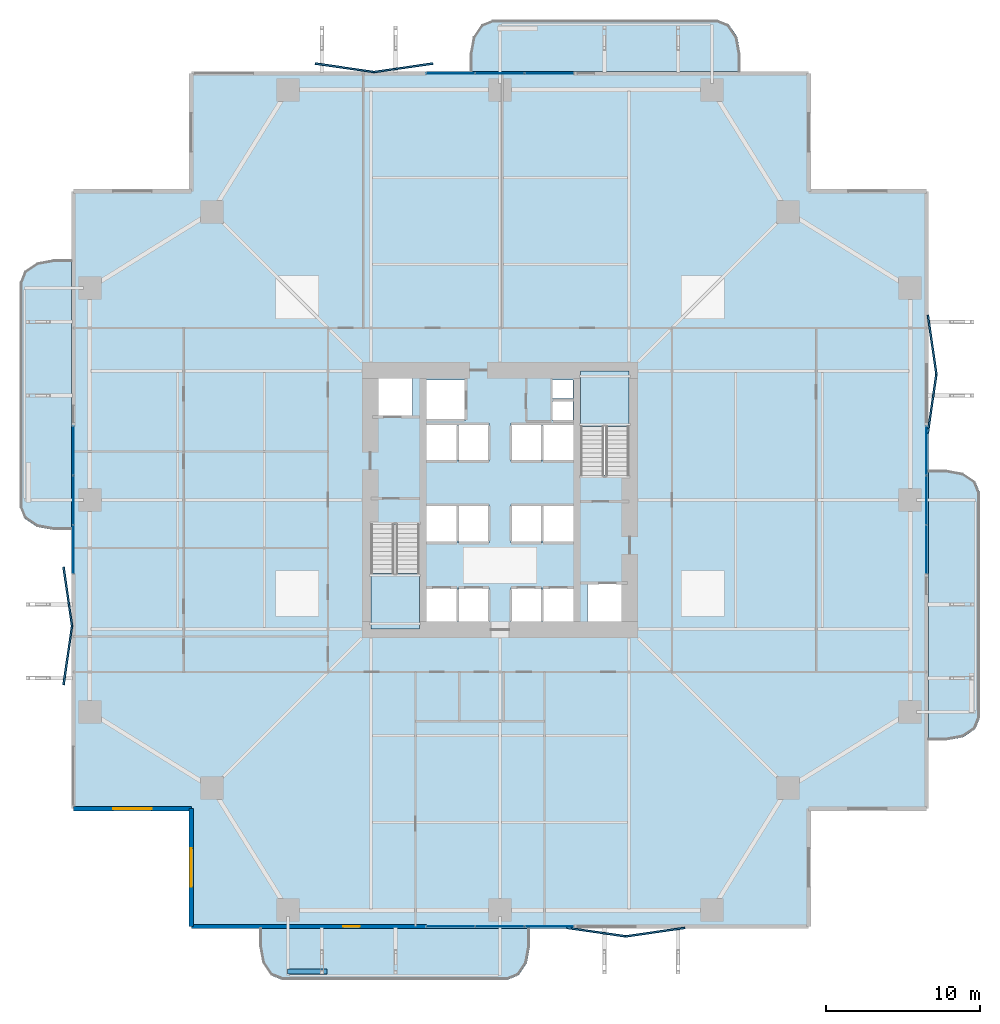
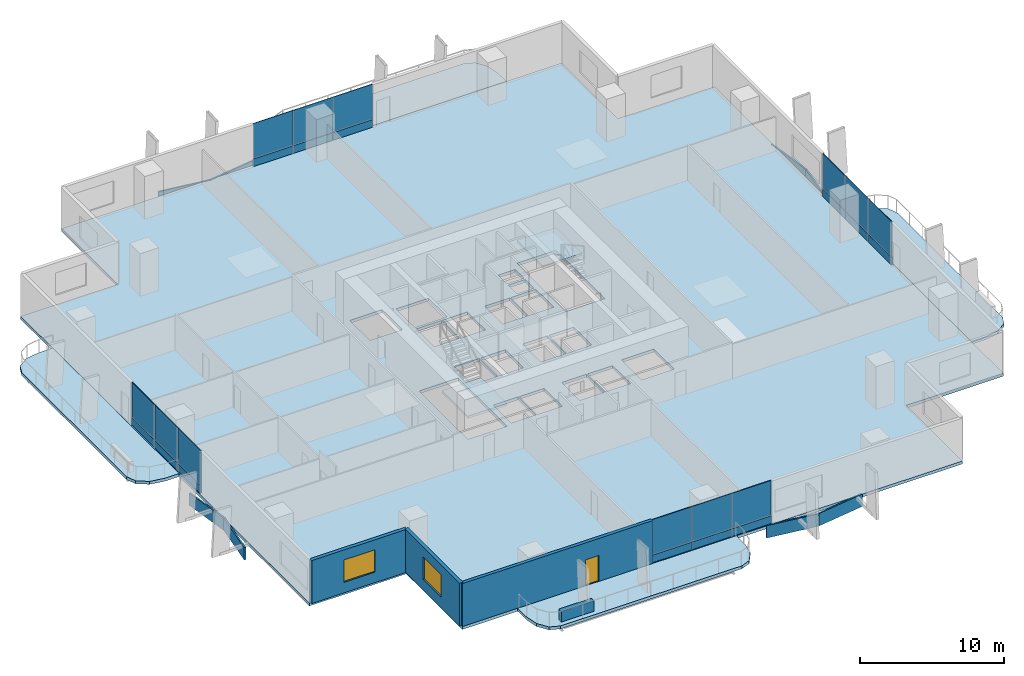
# One storey, part 16 of 23: 32 plates, 7 slabs, 4 walls, 2 windows, 1 door, 3 openings, 6 elements without a shape of their own.
"""IFC4 building model written with IfcOpenShell, lengths in metres."""

from ifc_helpers import new_model, si_unit, direction, frame, frame_2d, origin, origin_2d, place, context, subcontext, project, spatial, polyline, rectangle, outline, extrude, material, layer, layer_set, type_object, element, fill, aggregate, save


model = new_model("IFC4")

# Units and contexts
model_context = context("Model", 3, precision=1e-05, world=origin(), true_north=direction((0.0, 1.0)))
body_context = subcontext(model_context, "Body", "Model", "MODEL_VIEW")
ifc_project = project(units=[si_unit("LENGTHUNIT", "METRE"), si_unit("AREAUNIT", "SQUARE_METRE"), si_unit("VOLUMEUNIT", "CUBIC_METRE"), si_unit("PLANEANGLEUNIT", "RADIAN"), si_unit("MASSUNIT", "GRAM", prefix="KILO")], contexts=[model_context])

# Site, building, storey
site_placement = place(None, origin())
site = spatial("IfcSite", under=ifc_project, at=site_placement, CompositionType="ELEMENT")
building_placement = place(site_placement, origin())
building = spatial("IfcBuilding", under=site, at=building_placement, Name="Belovzor Exchange Tower", CompositionType="ELEMENT")
storey_placement = place(building_placement, frame((0.0, 0.0, 53.39990234375)))
storey = spatial("IfcBuildingStorey", under=building, at=storey_placement, Name="L12", CompositionType="ELEMENT", Elevation=53.39990234375)

# Slab
ifc_material_1 = material(Name="Concrete C40/50", Category="concrete")
ifc_layer_1 = layer(ifc_material_1, 0.25)
ifc_layer_set_1 = layer_set([ifc_layer_1], Name="Concrete C40/50")
slab_type_1 = type_object("IfcSlabType", Name="Composite Concrete Floor Deck Slab 250", PredefinedType="FLOOR", material=ifc_layer_set_1)
slab_1_placement = place(storey_placement, frame((0.0, 0.0, -0.25)))
element("IfcSlab", 1, at=slab_1_placement, inside=storey, type_object=slab_type_1, Name="SL-F250 Structural Slab L12", PredefinedType="FLOOR", context=body_context, shape_type="SweptSolid", body=[
    extrude(outline(polyline([(8.699951171875, 0.89990234375), (48.89990234375, 0.89990234375), (48.89990234375, 8.699951171875), (56.699951171875, 8.699951171875), (56.699951171875, 48.89990234375), (48.89990234375, 48.89990234375), (48.89990234375, 56.699951171875), (8.699951171875, 56.699951171875), (8.699951171875, 48.89990234375), (0.89990234375, 48.89990234375), (0.89990234375, 8.699951171875), (8.699951171875, 8.699951171875), (8.699951171875, 0.89990234375)]), holes=[polyline([(20.39990234375, 27.175048828125), (20.39990234375, 20.39990234375), (23.550048828125, 20.39990234375), (23.550048828125, 27.175048828125), (20.39990234375, 27.175048828125)]), polyline([(37.199951171875, 30.425048828125), (37.199951171875, 37.199951171875), (34.050048828125, 37.199951171875), (34.050048828125, 30.425048828125), (37.199951171875, 30.425048828125)]), polyline([(20.5, 34.199951171875), (23.10009765625, 34.199951171875), (23.10009765625, 37.0), (20.5, 37.0), (20.5, 34.199951171875)]), polyline([(34.5, 20.60009765625), (37.10009765625, 20.60009765625), (37.10009765625, 23.39990234375), (34.5, 23.39990234375), (34.5, 20.60009765625)]), polyline([(24.0, 34.0), (26.60009765625, 34.0), (26.60009765625, 36.60009765625), (24.0, 36.60009765625), (24.0, 34.0)]), polyline([(24.0, 20.60009765625), (26.0, 20.60009765625), (26.0, 23.10009765625), (24.0, 23.10009765625), (24.0, 20.60009765625)]), polyline([(26.10009765625, 20.60009765625), (28.10009765625, 20.60009765625), (28.10009765625, 23.10009765625), (26.10009765625, 23.10009765625), (26.10009765625, 20.60009765625)]), polyline([(29.5, 20.60009765625), (31.5, 20.60009765625), (31.5, 23.10009765625), (29.5, 23.10009765625), (29.5, 20.60009765625)]), polyline([(31.60009765625, 20.60009765625), (33.60009765625, 20.60009765625), (33.60009765625, 23.10009765625), (31.60009765625, 23.10009765625), (31.60009765625, 20.60009765625)]), polyline([(24.0, 26.0), (26.0, 26.0), (26.0, 28.5), (24.0, 28.5), (24.0, 26.0)]), polyline([(26.10009765625, 26.0), (28.10009765625, 26.0), (28.10009765625, 28.5), (26.10009765625, 28.5), (26.10009765625, 26.0)]), polyline([(29.5, 26.0), (31.5, 26.0), (31.5, 28.5), (29.5, 28.5), (29.5, 26.0)]), polyline([(31.60009765625, 26.0), (33.60009765625, 26.0), (33.60009765625, 28.5), (31.60009765625, 28.5), (31.60009765625, 26.0)]), polyline([(24.0, 31.300048828125), (26.0, 31.300048828125), (26.0, 33.800048828125), (24.0, 33.800048828125), (24.0, 31.300048828125)]), polyline([(26.10009765625, 31.300048828125), (28.10009765625, 31.300048828125), (28.10009765625, 33.800048828125), (26.10009765625, 33.800048828125), (26.10009765625, 31.300048828125)]), polyline([(29.5, 31.300048828125), (31.5, 31.300048828125), (31.5, 33.800048828125), (29.5, 33.800048828125), (29.5, 31.300048828125)]), polyline([(31.60009765625, 31.300048828125), (33.60009765625, 31.300048828125), (33.60009765625, 33.800048828125), (31.60009765625, 33.800048828125), (31.60009765625, 31.300048828125)]), polyline([(32.199951171875, 34.0), (33.550048828125, 34.0), (33.550048828125, 35.199951171875), (32.199951171875, 35.199951171875), (32.199951171875, 34.0)]), polyline([(32.199951171875, 35.39990234375), (33.550048828125, 35.39990234375), (33.550048828125, 36.60009765625), (32.199951171875, 36.60009765625), (32.199951171875, 35.39990234375)])]), origin(), (0.0, 0.0, 1.0), 0.25),
])

# Plates
ifc_material_2 = material(Name="Extruded Architectural Terracotta", Category="masonry")
ifc_layer_2 = layer(ifc_material_2, 0.1201171875)
ifc_layer_set_2 = layer_set([ifc_layer_2], Name="Extruded Architectural Terracotta")
plate_type_1 = type_object("IfcPlateType", Name="Folded Zigzag Terracotta Spandrel Louvre 80", PredefinedType="USERDEFINED", material=ifc_layer_set_2)
for number, where, z_axis, x_axis, name in (
    (2, (18.699951171875, 56.93505859375, -1.03515625), (0.0, 0.0, 1.0), (0.989686419138, -0.143250800258, 0.0), "LVR-ZZ1 Zigzag Terracotta Spandrel Louvre L12 N1A"),
    (3, (22.5, 56.93505859375, -1.03515625), (0.0, 0.0, 1.0), (0.989686419138, 0.143250800258, 0.0), "LVR-ZZ1 Zigzag Terracotta Spandrel Louvre L12 N1B"),
    (4, (0.6650390625, 18.699951171875, -1.03515625), (0.0, 0.0, 1.0), (0.143250800258, 0.989686419138, 0.0), "LVR-ZZ1 Zigzag Terracotta Spandrel Louvre L12 W1A"),
    (5, (0.6650390625, 22.5, -1.03515625), (0.0, 0.0, 1.0), (-0.143250800258, 0.989686419138, 0.0), "LVR-ZZ1 Zigzag Terracotta Spandrel Louvre L12 W1B"),
    (6, (35.10009765625, 0.6650390625, -1.03515625), (0.0, 0.0, 1.0), (0.989686419138, -0.143250800258, 0.0), "LVR-ZZ1 Zigzag Terracotta Spandrel Louvre L12 S2A"),
    (7, (38.89990234375, 0.6650390625, -1.03515625), (0.0, 0.0, 1.0), (0.989686419138, 0.143250800258, 0.0), "LVR-ZZ1 Zigzag Terracotta Spandrel Louvre L12 S2B"),
    (8, (56.93505859375, 35.10009765625, -1.03515625), (0.0, 0.0, 1.0), (0.143250800258, 0.989686419138, 0.0), "LVR-ZZ1 Zigzag Terracotta Spandrel Louvre L12 E2A"),
    (9, (56.93505859375, 38.89990234375, -1.03515625), (0.0, 0.0, 1.0), (-0.143250800258, 0.989686419138, 0.0), "LVR-ZZ1 Zigzag Terracotta Spandrel Louvre L12 E2B"),
):
    element("IfcPlate", number, at=place(storey_placement, frame(where, z_axis=z_axis, x_axis=x_axis)), inside=storey, type_object=plate_type_1, Name=name, ObjectType="SPANDREL_LOUVRE", PredefinedType="USERDEFINED", context=body_context, shape_type="SweptSolid", body=[
        extrude(rectangle(XDim=3.919921875, YDim=0.1201171875, at=origin_2d()), origin(), (0.0, 0.0, 1.0), 1.050048828125),
    ])

# Curtain wall, plates
ifc_material_3 = material(Name="Anodised Aluminium Framing", Category="aluminium")
ifc_layer_3 = layer(ifc_material_3, 0.179931640625)
ifc_layer_set_3 = layer_set([ifc_layer_3], Name="Anodised Aluminium Framing")
curtain_wall_type = type_object("IfcCurtainWallType", Name="Recessed Loggia Low-Iron Triple-Glazed Curtain Wall", PredefinedType="NOTDEFINED", material=ifc_layer_set_3)
curtain_wall_1_placement = place(storey_placement, origin())
curtain_wall_1 = element("IfcCurtainWall", 10, at=curtain_wall_1_placement, inside=storey, type_object=curtain_wall_type, Name="CW3 Recessed Loggia Low-Iron Triple-Glazed Curtain Wall L12", PredefinedType="NOTDEFINED")
ifc_material_4 = material(Name="Solar-Control Triple Glazing", Category="glass")
ifc_layer_4 = layer(ifc_material_4, 0.0439453125)
ifc_layer_set_4 = layer_set([ifc_layer_4], Name="Solar-Control Triple Glazing")
plate_type_2 = type_object("IfcPlateType", Name="Insulated Solar Glazing Curtain Panel 44", PredefinedType="CURTAIN_PANEL", material=ifc_layer_set_4)
plate_1_placement = place(storey_placement, frame((32.0, 1.030029296875, 0.652099609375), z_axis=(0.0, 0.0, 1.0), x_axis=(-1.0, 0.0, 0.0)))
plate_1 = element("IfcPlate", 11, at=plate_1_placement, type_object=plate_type_2, Name="GLZ-44 Glazed Curtain Panel 1", PredefinedType="CURTAIN_PANEL", context=body_context, shape_type="SweptSolid", body=[
    extrude(rectangle(XDim=3.18408203125, YDim=0.0439453125, at=origin_2d()), origin(), (0.0, 0.0, 1.0), 2.998046875),
])
plate_2_placement = place(storey_placement, frame((28.800048828125, 1.030029296875, 0.652099609375), z_axis=(0.0, 0.0, 1.0), x_axis=(-1.0, 0.0, 0.0)))
plate_2 = element("IfcPlate", 12, at=plate_2_placement, type_object=plate_type_2, Name="GLZ-44 Glazed Curtain Panel 2", PredefinedType="CURTAIN_PANEL", context=body_context, shape_type="SweptSolid", body=[
    extrude(rectangle(XDim=3.18408203125, YDim=0.0439453125, at=origin_2d()), origin(), (0.0, 0.0, 1.0), 2.998046875),
])
plate_3_placement = place(storey_placement, frame((25.60009765625, 1.030029296875, 0.652099609375), z_axis=(0.0, 0.0, 1.0), x_axis=(-1.0, 0.0, 0.0)))
plate_3 = element("IfcPlate", 13, at=plate_3_placement, type_object=plate_type_2, Name="GLZ-44 Glazed Curtain Panel 3", PredefinedType="CURTAIN_PANEL", context=body_context, shape_type="SweptSolid", body=[
    extrude(rectangle(XDim=3.18408203125, YDim=0.0439453125, at=origin_2d()), origin(), (0.0, 0.0, 1.0), 2.998046875),
])

curtain_wall_2_placement = place(storey_placement, origin())
curtain_wall_2 = element("IfcCurtainWall", 14, at=curtain_wall_2_placement, inside=storey, type_object=curtain_wall_type, Name="CW3 Recessed Loggia Low-Iron Triple-Glazed Curtain Wall L12", PredefinedType="NOTDEFINED")
plate_4_placement = place(storey_placement, frame((25.60009765625, 56.570068359375, 0.652099609375), z_axis=(0.0, 0.0, 1.0), x_axis=(1.0, 0.0, 0.0)))
plate_4 = element("IfcPlate", 15, at=plate_4_placement, type_object=plate_type_2, Name="GLZ-44 Glazed Curtain Panel 1", PredefinedType="CURTAIN_PANEL", context=body_context, shape_type="SweptSolid", body=[
    extrude(rectangle(XDim=3.18408203125, YDim=0.0439453125, at=origin_2d()), origin(), (0.0, 0.0, 1.0), 2.998046875),
])
plate_5_placement = place(storey_placement, frame((28.800048828125, 56.570068359375, 0.652099609375), z_axis=(0.0, 0.0, 1.0), x_axis=(1.0, 0.0, 0.0)))
plate_5 = element("IfcPlate", 16, at=plate_5_placement, type_object=plate_type_2, Name="GLZ-44 Glazed Curtain Panel 2", PredefinedType="CURTAIN_PANEL", context=body_context, shape_type="SweptSolid", body=[
    extrude(rectangle(XDim=3.18408203125, YDim=0.0439453125, at=origin_2d()), origin(), (0.0, 0.0, 1.0), 2.998046875),
])
plate_6_placement = place(storey_placement, frame((32.0, 56.570068359375, 0.652099609375), z_axis=(0.0, 0.0, 1.0), x_axis=(1.0, 0.0, 0.0)))
plate_6 = element("IfcPlate", 17, at=plate_6_placement, type_object=plate_type_2, Name="GLZ-44 Glazed Curtain Panel 3", PredefinedType="CURTAIN_PANEL", context=body_context, shape_type="SweptSolid", body=[
    extrude(rectangle(XDim=3.18408203125, YDim=0.0439453125, at=origin_2d()), origin(), (0.0, 0.0, 1.0), 2.998046875),
])

curtain_wall_3_placement = place(storey_placement, origin())
curtain_wall_3 = element("IfcCurtainWall", 18, at=curtain_wall_3_placement, inside=storey, type_object=curtain_wall_type, Name="CW3 Recessed Loggia Low-Iron Triple-Glazed Curtain Wall L12", PredefinedType="NOTDEFINED")
plate_7_placement = place(storey_placement, frame((1.030029296875, 25.60009765625, 0.652099609375), z_axis=(0.0, 0.0, 1.0), x_axis=(0.0, 1.0, 0.0)))
plate_7 = element("IfcPlate", 19, at=plate_7_placement, type_object=plate_type_2, Name="GLZ-44 Glazed Curtain Panel 1", PredefinedType="CURTAIN_PANEL", context=body_context, shape_type="SweptSolid", body=[
    extrude(rectangle(XDim=3.18408203125, YDim=0.0439453125, at=origin_2d()), origin(), (0.0, 0.0, 1.0), 2.998046875),
])
plate_8_placement = place(storey_placement, frame((1.030029296875, 28.800048828125, 0.652099609375), z_axis=(0.0, 0.0, 1.0), x_axis=(0.0, 1.0, 0.0)))
plate_8 = element("IfcPlate", 20, at=plate_8_placement, type_object=plate_type_2, Name="GLZ-44 Glazed Curtain Panel 2", PredefinedType="CURTAIN_PANEL", context=body_context, shape_type="SweptSolid", body=[
    extrude(rectangle(XDim=3.18408203125, YDim=0.0439453125, at=origin_2d()), origin(), (0.0, 0.0, 1.0), 2.998046875),
])
plate_9_placement = place(storey_placement, frame((1.030029296875, 32.0, 0.652099609375), z_axis=(0.0, 0.0, 1.0), x_axis=(0.0, 1.0, 0.0)))
plate_9 = element("IfcPlate", 21, at=plate_9_placement, type_object=plate_type_2, Name="GLZ-44 Glazed Curtain Panel 3", PredefinedType="CURTAIN_PANEL", context=body_context, shape_type="SweptSolid", body=[
    extrude(rectangle(XDim=3.18408203125, YDim=0.0439453125, at=origin_2d()), origin(), (0.0, 0.0, 1.0), 2.998046875),
])

curtain_wall_4_placement = place(storey_placement, origin())
curtain_wall_4 = element("IfcCurtainWall", 22, at=curtain_wall_4_placement, inside=storey, type_object=curtain_wall_type, Name="CW3 Recessed Loggia Low-Iron Triple-Glazed Curtain Wall L12", PredefinedType="NOTDEFINED")
plate_10_placement = place(storey_placement, frame((56.570068359375, 32.0, 0.652099609375), z_axis=(0.0, 0.0, 1.0), x_axis=(0.0, -1.0, 0.0)))
plate_10 = element("IfcPlate", 23, at=plate_10_placement, type_object=plate_type_2, Name="GLZ-44 Glazed Curtain Panel 1", PredefinedType="CURTAIN_PANEL", context=body_context, shape_type="SweptSolid", body=[
    extrude(rectangle(XDim=3.18408203125, YDim=0.0439453125, at=origin_2d()), origin(), (0.0, 0.0, 1.0), 2.998046875),
])
plate_11_placement = place(storey_placement, frame((56.570068359375, 28.800048828125, 0.652099609375), z_axis=(0.0, 0.0, 1.0), x_axis=(0.0, -1.0, 0.0)))
plate_11 = element("IfcPlate", 24, at=plate_11_placement, type_object=plate_type_2, Name="GLZ-44 Glazed Curtain Panel 2", PredefinedType="CURTAIN_PANEL", context=body_context, shape_type="SweptSolid", body=[
    extrude(rectangle(XDim=3.18408203125, YDim=0.0439453125, at=origin_2d()), origin(), (0.0, 0.0, 1.0), 2.998046875),
])
plate_12_placement = place(storey_placement, frame((56.570068359375, 25.60009765625, 0.652099609375), z_axis=(0.0, 0.0, 1.0), x_axis=(0.0, -1.0, 0.0)))
plate_12 = element("IfcPlate", 25, at=plate_12_placement, type_object=plate_type_2, Name="GLZ-44 Glazed Curtain Panel 3", PredefinedType="CURTAIN_PANEL", context=body_context, shape_type="SweptSolid", body=[
    extrude(rectangle(XDim=3.18408203125, YDim=0.0439453125, at=origin_2d()), origin(), (0.0, 0.0, 1.0), 2.998046875),
])

# Stair, slab
ifc_material_5 = material(Name="Concrete C40/50", Category="concrete")
stair_type = type_object("IfcStairType", Name="Reinforced Concrete Dogleg Escape Stair 1350", PredefinedType="HALF_TURN_STAIR", material=ifc_material_5)
stair_1_placement = place(storey_placement, origin())
stair_1 = element("IfcStair", 26, at=stair_1_placement, inside=storey, type_object=stair_type, Name="L12 ST-1", PredefinedType="HALF_TURN_STAIR")
ifc_material_6 = material(Name="Concrete C40/50", Category="concrete")
ifc_layer_5 = layer(ifc_material_6, 0.199951171875)
ifc_layer_set_5 = layer_set([ifc_layer_5], Name="Concrete C40/50")
slab_type_2 = type_object("IfcSlabType", Name="Reinforced Concrete Stair Half-Landing Slab 200", PredefinedType="LANDING", material=ifc_layer_set_5)
slab_2_placement = place(storey_placement, frame((0.0, 0.0, 1.75)))
slab_2 = element("IfcSlab", 27, at=slab_2_placement, type_object=slab_type_2, Name="ST-1 landing 1", PredefinedType="LANDING", context=body_context, shape_type="SweptSolid", body=[
    extrude(outline(polyline([(20.39990234375, 24.010009765625), (20.39990234375, 20.39990234375), (23.550048828125, 20.39990234375), (23.550048828125, 24.010009765625), (20.39990234375, 24.010009765625)])), origin(), (0.0, 0.0, 1.0), 0.2001953125),
])
aggregate(stair_1, [slab_2])

stair_2_placement = place(storey_placement, origin())
stair_2 = element("IfcStair", 28, at=stair_2_placement, inside=storey, type_object=stair_type, Name="L12 ST-2", PredefinedType="HALF_TURN_STAIR")
slab_3_placement = place(storey_placement, frame((0.0, 0.0, 1.75)))
slab_3 = element("IfcSlab", 29, at=slab_3_placement, type_object=slab_type_2, Name="ST-2 landing 1", PredefinedType="LANDING", context=body_context, shape_type="SweptSolid", body=[
    extrude(outline(polyline([(37.199951171875, 33.590087890625), (37.199951171875, 37.199951171875), (34.050048828125, 37.199951171875), (34.050048828125, 33.590087890625), (37.199951171875, 33.590087890625)])), origin(), (0.0, 0.0, 1.0), 0.2001953125),
])
aggregate(stair_2, [slab_3])

# Plate
ifc_material_7 = material(Name="Extruded Architectural Terracotta", Category="masonry")
ifc_layer_6 = layer(ifc_material_7, 0.090087890625)
ifc_layer_set_6 = layer_set([ifc_layer_6], Name="Extruded Architectural Terracotta")
plate_type_3 = type_object("IfcPlateType", Name="Terracotta Shadow-Box Spandrel Panel 90", PredefinedType="CURTAIN_PANEL", material=ifc_layer_set_6)
plate_13_placement = place(storey_placement, frame((32.0, 1.030029296875, 0.000244140625), z_axis=(0.0, 0.0, 1.0), x_axis=(-1.0, 0.0, 0.0)))
plate_13 = element("IfcPlate", 30, at=plate_13_placement, type_object=plate_type_3, Name="SPD-90 Spandrel Panel 1", PredefinedType="CURTAIN_PANEL", context=body_context, shape_type="SweptSolid", body=[
    extrude(rectangle(XDim=3.18408203125, YDim=0.090087890625, at=origin_2d()), origin(), (0.0, 0.0, 1.0), 0.64794921875),
])

plate_14_placement = place(storey_placement, frame((28.800048828125, 1.030029296875, 0.000244140625), z_axis=(0.0, 0.0, 1.0), x_axis=(-1.0, 0.0, 0.0)))
plate_14 = element("IfcPlate", 31, at=plate_14_placement, type_object=plate_type_3, Name="SPD-90 Spandrel Panel 2", PredefinedType="CURTAIN_PANEL", context=body_context, shape_type="SweptSolid", body=[
    extrude(rectangle(XDim=3.18408203125, YDim=0.090087890625, at=origin_2d()), origin(), (0.0, 0.0, 1.0), 0.64794921875),
])

plate_15_placement = place(storey_placement, frame((25.60009765625, 1.030029296875, 0.000244140625), z_axis=(0.0, 0.0, 1.0), x_axis=(-1.0, 0.0, 0.0)))
plate_15 = element("IfcPlate", 32, at=plate_15_placement, type_object=plate_type_3, Name="SPD-90 Spandrel Panel 3", PredefinedType="CURTAIN_PANEL", context=body_context, shape_type="SweptSolid", body=[
    extrude(rectangle(XDim=3.18408203125, YDim=0.090087890625, at=origin_2d()), origin(), (0.0, 0.0, 1.0), 0.64794921875),
])

aggregate(curtain_wall_1, [plate_13, plate_1, plate_14, plate_2, plate_15, plate_3])

plate_16_placement = place(storey_placement, frame((25.60009765625, 56.570068359375, 0.000244140625), z_axis=(0.0, 0.0, 1.0), x_axis=(1.0, 0.0, 0.0)))
plate_16 = element("IfcPlate", 33, at=plate_16_placement, type_object=plate_type_3, Name="SPD-90 Spandrel Panel 1", PredefinedType="CURTAIN_PANEL", context=body_context, shape_type="SweptSolid", body=[
    extrude(rectangle(XDim=3.18408203125, YDim=0.090087890625, at=origin_2d()), origin(), (0.0, 0.0, 1.0), 0.64794921875),
])

plate_17_placement = place(storey_placement, frame((28.800048828125, 56.570068359375, 0.000244140625), z_axis=(0.0, 0.0, 1.0), x_axis=(1.0, 0.0, 0.0)))
plate_17 = element("IfcPlate", 34, at=plate_17_placement, type_object=plate_type_3, Name="SPD-90 Spandrel Panel 2", PredefinedType="CURTAIN_PANEL", context=body_context, shape_type="SweptSolid", body=[
    extrude(rectangle(XDim=3.18408203125, YDim=0.090087890625, at=origin_2d()), origin(), (0.0, 0.0, 1.0), 0.64794921875),
])

plate_18_placement = place(storey_placement, frame((32.0, 56.570068359375, 0.000244140625), z_axis=(0.0, 0.0, 1.0), x_axis=(1.0, 0.0, 0.0)))
plate_18 = element("IfcPlate", 35, at=plate_18_placement, type_object=plate_type_3, Name="SPD-90 Spandrel Panel 3", PredefinedType="CURTAIN_PANEL", context=body_context, shape_type="SweptSolid", body=[
    extrude(rectangle(XDim=3.18408203125, YDim=0.090087890625, at=origin_2d()), origin(), (0.0, 0.0, 1.0), 0.64794921875),
])

aggregate(curtain_wall_2, [plate_16, plate_4, plate_17, plate_5, plate_18, plate_6])

plate_19_placement = place(storey_placement, frame((1.030029296875, 25.60009765625, 0.000244140625), z_axis=(0.0, 0.0, 1.0), x_axis=(0.0, 1.0, 0.0)))
plate_19 = element("IfcPlate", 36, at=plate_19_placement, type_object=plate_type_3, Name="SPD-90 Spandrel Panel 1", PredefinedType="CURTAIN_PANEL", context=body_context, shape_type="SweptSolid", body=[
    extrude(rectangle(XDim=3.18408203125, YDim=0.090087890625, at=origin_2d()), origin(), (0.0, 0.0, 1.0), 0.64794921875),
])

plate_20_placement = place(storey_placement, frame((1.030029296875, 28.800048828125, 0.000244140625), z_axis=(0.0, 0.0, 1.0), x_axis=(0.0, 1.0, 0.0)))
plate_20 = element("IfcPlate", 37, at=plate_20_placement, type_object=plate_type_3, Name="SPD-90 Spandrel Panel 2", PredefinedType="CURTAIN_PANEL", context=body_context, shape_type="SweptSolid", body=[
    extrude(rectangle(XDim=3.18408203125, YDim=0.090087890625, at=origin_2d()), origin(), (0.0, 0.0, 1.0), 0.64794921875),
])

plate_21_placement = place(storey_placement, frame((1.030029296875, 32.0, 0.000244140625), z_axis=(0.0, 0.0, 1.0), x_axis=(0.0, 1.0, 0.0)))
plate_21 = element("IfcPlate", 38, at=plate_21_placement, type_object=plate_type_3, Name="SPD-90 Spandrel Panel 3", PredefinedType="CURTAIN_PANEL", context=body_context, shape_type="SweptSolid", body=[
    extrude(rectangle(XDim=3.18408203125, YDim=0.090087890625, at=origin_2d()), origin(), (0.0, 0.0, 1.0), 0.64794921875),
])

aggregate(curtain_wall_3, [plate_19, plate_7, plate_20, plate_8, plate_21, plate_9])

plate_22_placement = place(storey_placement, frame((56.570068359375, 32.0, 0.000244140625), z_axis=(0.0, 0.0, 1.0), x_axis=(0.0, -1.0, 0.0)))
plate_22 = element("IfcPlate", 39, at=plate_22_placement, type_object=plate_type_3, Name="SPD-90 Spandrel Panel 1", PredefinedType="CURTAIN_PANEL", context=body_context, shape_type="SweptSolid", body=[
    extrude(rectangle(XDim=3.18408203125, YDim=0.090087890625, at=origin_2d()), origin(), (0.0, 0.0, 1.0), 0.64794921875),
])

plate_23_placement = place(storey_placement, frame((56.570068359375, 28.800048828125, 0.000244140625), z_axis=(0.0, 0.0, 1.0), x_axis=(0.0, -1.0, 0.0)))
plate_23 = element("IfcPlate", 40, at=plate_23_placement, type_object=plate_type_3, Name="SPD-90 Spandrel Panel 2", PredefinedType="CURTAIN_PANEL", context=body_context, shape_type="SweptSolid", body=[
    extrude(rectangle(XDim=3.18408203125, YDim=0.090087890625, at=origin_2d()), origin(), (0.0, 0.0, 1.0), 0.64794921875),
])

plate_24_placement = place(storey_placement, frame((56.570068359375, 25.60009765625, 0.000244140625), z_axis=(0.0, 0.0, 1.0), x_axis=(0.0, -1.0, 0.0)))
plate_24 = element("IfcPlate", 41, at=plate_24_placement, type_object=plate_type_3, Name="SPD-90 Spandrel Panel 3", PredefinedType="CURTAIN_PANEL", context=body_context, shape_type="SweptSolid", body=[
    extrude(rectangle(XDim=3.18408203125, YDim=0.090087890625, at=origin_2d()), origin(), (0.0, 0.0, 1.0), 0.64794921875),
])

aggregate(curtain_wall_4, [plate_22, plate_10, plate_23, plate_11, plate_24, plate_12])

# Slabs
ifc_material_8 = material(Name="Concrete C40/50", Category="concrete")
ifc_layer_7 = layer(ifc_material_8, 0.25)
ifc_layer_set_7 = layer_set([ifc_layer_7], Name="Concrete C40/50")
slab_type_3 = type_object("IfcSlabType", Name="Thermally Broken Planted Balcony Slab 250", PredefinedType="FLOOR", material=ifc_layer_set_7)
slab_4_placement = place(storey_placement, frame((0.0, 0.0, -0.25)))
element("IfcSlab", 42, at=slab_4_placement, inside=storey, type_object=slab_type_3, Name="SL-BAL220 Planted Balcony Loggia L12 South", PredefinedType="FLOOR", context=body_context, shape_type="SweptSolid", body=[
    extrude(outline(polyline([(13.14990234375, 0.9150390625), (13.14990234375, -0.25), (13.35107421875, -1.35009765625), (13.89990234375, -2.155029296875), (14.64990234375, -2.449951171875), (29.25, -2.449951171875), (30.0, -2.155029296875), (30.549072265625, -1.35009765625), (30.75, -0.25), (30.75, 0.9150390625), (13.14990234375, 0.9150390625)])), origin(), (0.0, 0.0, 1.0), 0.25),
])
slab_5_placement = place(storey_placement, frame((0.0, 0.0, -0.25)))
element("IfcSlab", 43, at=slab_5_placement, inside=storey, type_object=slab_type_3, Name="SL-BAL220 Planted Balcony Loggia L12 North", PredefinedType="FLOOR", context=body_context, shape_type="SweptSolid", body=[
    extrude(outline(polyline([(44.449951171875, 56.68505859375), (44.449951171875, 57.85009765625), (44.2490234375, 58.949951171875), (43.699951171875, 59.7548828125), (42.949951171875, 60.050048828125), (28.35009765625, 60.050048828125), (27.60009765625, 59.7548828125), (27.051025390625, 58.949951171875), (26.85009765625, 57.85009765625), (26.85009765625, 56.68505859375), (44.449951171875, 56.68505859375)])), origin(), (0.0, 0.0, 1.0), 0.25),
])
slab_6_placement = place(storey_placement, frame((0.0, 0.0, -0.25)))
element("IfcSlab", 44, at=slab_6_placement, inside=storey, type_object=slab_type_3, Name="SL-BAL220 Planted Balcony Loggia L12 East", PredefinedType="FLOOR", context=body_context, shape_type="SweptSolid", body=[
    extrude(outline(polyline([(56.68505859375, 13.14990234375), (57.85009765625, 13.14990234375), (58.949951171875, 13.35107421875), (59.7548828125, 13.89990234375), (60.050048828125, 14.64990234375), (60.050048828125, 29.25), (59.7548828125, 30.0), (58.949951171875, 30.549072265625), (57.85009765625, 30.75), (56.68505859375, 30.75), (56.68505859375, 13.14990234375)])), origin(), (0.0, 0.0, 1.0), 0.25),
])
slab_7_placement = place(storey_placement, frame((0.0, 0.0, -0.25)))
element("IfcSlab", 45, at=slab_7_placement, inside=storey, type_object=slab_type_3, Name="SL-BAL220 Planted Balcony Loggia L12 West", PredefinedType="FLOOR", context=body_context, shape_type="SweptSolid", body=[
    extrude(outline(polyline([(0.9150390625, 44.449951171875), (-0.25, 44.449951171875), (-1.35009765625, 44.2490234375), (-2.155029296875, 43.699951171875), (-2.449951171875, 42.949951171875), (-2.449951171875, 28.35009765625), (-2.155029296875, 27.60009765625), (-1.35009765625, 27.051025390625), (-0.25, 26.85009765625), (0.9150390625, 26.85009765625), (0.9150390625, 44.449951171875)])), origin(), (0.0, 0.0, 1.0), 0.25),
])

# Wall, opening, window
ifc_material_9 = material(Name="Precast concrete C40/50", Category="concrete")
ifc_layer_8 = layer(ifc_material_9, 0.280029296875)
ifc_layer_set_8 = layer_set([ifc_layer_8], Name="Precast concrete C40/50")
wall_type_1 = type_object("IfcWallType", Name="Precast Concrete Notched Corner Frame Wall 280", PredefinedType="SOLIDWALL", material=ifc_layer_set_8)
wall_1_placement = place(storey_placement, frame((8.699951171875, 1.030029296875, 0.0), z_axis=(0.0, 0.0, 1.0), x_axis=(0.0, 1.0, 0.0)))
wall_1 = element("IfcWall", 46, at=wall_1_placement, inside=storey, type_object=wall_type_1, Name="W-CRN280 Precast Concrete Notched Corner Frame Wall 280 L12", PredefinedType="SOLIDWALL", context=body_context, shape_type="SweptSolid", body=[
    extrude(rectangle(XDim=7.669921875, YDim=0.280029296875, at=frame_2d((3.8349609375, 0.0))), origin(), (0.0, 0.0, 1.0), 3.650146484375),
])
opening_1_placement = place(wall_1_placement, frame((2.5849609375, 0.0, 0.89990234375)))
opening_1 = element("IfcOpeningElement", 47, at=opening_1_placement, cuts=wall_1, Name="Opening WN-CRN250", PredefinedType="OPENING", context=body_context, shape_type="SweptSolid", body=[
    extrude(rectangle(XDim=2.5, YDim=1.89990234375, at=frame_2d((1.25, 0.949951171875))), frame((0.0, 0.14990234375, 0.0), z_axis=(0.0, -1.0, 0.0), x_axis=(1.0, 0.0, 0.0)), (0.0, 0.0, 1.0), 0.300048828125),
])
ifc_material_10 = material(Name="Thermally Broken Aluminium and Triple Glazing", Category="aluminium")
window_type = type_object("IfcWindowType", Name="Streamline Moderne Corner Wrap Ribbon Window 2500x1900", PartitioningType="SINGLE_PANEL", PredefinedType="WINDOW", material=ifc_material_10)
window_1_placement = place(opening_1_placement, origin())
window_1 = element("IfcWindow", 48, at=window_1_placement, inside=storey, type_object=window_type, Name="WN-CRN250 Streamline Moderne Corner Wrap Ribbon Window 2500x1900", OverallHeight=1.89990234375, OverallWidth=2.5, PartitioningType="SINGLE_PANEL", PredefinedType="WINDOW", context=body_context, shape_type="SweptSolid", body=[
    extrude(rectangle(XDim=2.5, YDim=1.89990234375, at=frame_2d((1.25, 0.949951171875))), frame((0.0, 0.030029296875, 0.0), z_axis=(0.0, -1.0, 0.0), x_axis=(1.0, 0.0, 0.0)), (0.0, 0.0, 1.0), 0.06005859375),
])
fill(opening_1, window_1)

wall_2_placement = place(storey_placement, frame((8.699951171875, 8.699951171875, 0.0), z_axis=(0.0, 0.0, 1.0), x_axis=(-1.0, 0.0, 0.0)))
wall_2 = element("IfcWall", 49, at=wall_2_placement, inside=storey, type_object=wall_type_1, Name="W-CRN280 Precast Concrete Notched Corner Frame Wall 280 L12", PredefinedType="SOLIDWALL", context=body_context, shape_type="SweptSolid", body=[
    extrude(rectangle(XDim=7.669921875, YDim=0.280029296875, at=frame_2d((3.8349609375, 0.0))), origin(), (0.0, 0.0, 1.0), 3.650146484375),
])
opening_2_placement = place(wall_2_placement, frame((2.5849609375, 0.0, 0.89990234375)))
opening_2 = element("IfcOpeningElement", 50, at=opening_2_placement, cuts=wall_2, Name="Opening WN-CRN250", PredefinedType="OPENING", context=body_context, shape_type="SweptSolid", body=[
    extrude(rectangle(XDim=2.5, YDim=1.89990234375, at=frame_2d((1.25, 0.949951171875))), frame((0.0, 0.14990234375, 0.0), z_axis=(0.0, -1.0, 0.0), x_axis=(1.0, 0.0, 0.0)), (0.0, 0.0, 1.0), 0.300048828125),
])
window_2_placement = place(opening_2_placement, origin())
window_2 = element("IfcWindow", 51, at=window_2_placement, inside=storey, type_object=window_type, Name="WN-CRN250 Streamline Moderne Corner Wrap Ribbon Window 2500x1900", OverallHeight=1.89990234375, OverallWidth=2.5, PartitioningType="SINGLE_PANEL", PredefinedType="WINDOW", context=body_context, shape_type="SweptSolid", body=[
    extrude(rectangle(XDim=2.5, YDim=1.89990234375, at=frame_2d((1.25, 0.949951171875))), frame((0.0, 0.030029296875, 0.0), z_axis=(0.0, -1.0, 0.0), x_axis=(1.0, 0.0, 0.0)), (0.0, 0.0, 1.0), 0.06005859375),
])
fill(opening_2, window_2)

# Wall, opening, door
ifc_material_11 = material(Name="Precast concrete C40/50", Category="concrete")
ifc_layer_9 = layer(ifc_material_11, 0.260009765625)
ifc_layer_set_9 = layer_set([ifc_layer_9], Name="Precast concrete C40/50")
wall_type_2 = type_object("IfcWallType", Name="Precast Concrete Perimeter Loggia Frame Wall 260", PredefinedType="SOLIDWALL", material=ifc_layer_set_9)
wall_3_placement = place(storey_placement, frame((24.0, 1.030029296875, 0.0), z_axis=(0.0, 0.0, 1.0), x_axis=(-1.0, 0.0, 0.0)))
wall_3 = element("IfcWall", 52, at=wall_3_placement, inside=storey, type_object=wall_type_2, Name="W-EXT260 Precast Concrete Perimeter Loggia Frame Wall 260 L12", PredefinedType="SOLIDWALL", context=body_context, shape_type="SweptSolid", body=[
    extrude(rectangle(XDim=15.300048828125, YDim=0.260009765625, at=frame_2d((7.64990234375, 0.0))), origin(), (0.0, 0.0, 1.0), 3.650146484375),
])
opening_3_placement = place(wall_3_placement, frame((4.31591796875, 0.0, 0.0)))
opening_3 = element("IfcOpeningElement", 53, at=opening_3_placement, cuts=wall_3, Name="Opening D-BAL110", PredefinedType="OPENING", context=body_context, shape_type="SweptSolid", body=[
    extrude(rectangle(XDim=1.10009765625, YDim=2.199951171875, at=frame_2d((0.550048828125, 1.10009765625))), frame((0.0, 0.139892578125, 0.0), z_axis=(0.0, -1.0, 0.0), x_axis=(1.0, 0.0, 0.0)), (0.0, 0.0, 1.0), 0.280029296875),
])
ifc_material_12 = material(Name="Thermally Broken Anodised Aluminium and Laminated Glass", Category="aluminium")
door_type = type_object("IfcDoorType", Name="Planted Loggia Terrace Glazed Door 1100x2200", OperationType="SINGLE_SWING_LEFT", PredefinedType="DOOR", material=ifc_material_12)
door_placement = place(opening_3_placement, origin())
door = element("IfcDoor", 54, at=door_placement, inside=storey, type_object=door_type, Name="D-BAL110 Balcony Terrace Door L12 S", OperationType="SINGLE_SWING_LEFT", OverallHeight=2.199951171875, OverallWidth=1.10009765625, PredefinedType="DOOR", context=body_context, shape_type="SweptSolid", body=[
    extrude(rectangle(XDim=1.10009765625, YDim=2.199951171875, at=frame_2d((0.550048828125, 1.10009765625))), frame((0.0, 0.02490234375, 0.0), z_axis=(0.0, -1.0, 0.0), x_axis=(1.0, 0.0, 0.0)), (0.0, 0.0, 1.0), 0.050048828125),
])
fill(opening_3, door)

# Wall
ifc_material_13 = material(Name="Precast concrete C40/50", Category="concrete")
ifc_layer_10 = layer(ifc_material_13, 0.35009765625)
ifc_layer_set_10 = layer_set([ifc_layer_10], Name="Precast concrete C40/50")
wall_type_3 = type_object("IfcWallType", Name="Precast Concrete Structural Tree Planter Trough 350", PredefinedType="PARAPET", material=ifc_layer_set_10)
wall_4_placement = place(storey_placement, frame((14.949951171875, -1.89990234375, 0.0), z_axis=(0.0, 0.0, 1.0), x_axis=(1.0, 0.0, 0.0)))
element("IfcWall", 55, at=wall_4_placement, inside=storey, type_object=wall_type_3, Name="PT-350 Precast Concrete Structural Tree Planter Trough 350 L12", PredefinedType="PARAPET", context=body_context, shape_type="SweptSolid", body=[
    extrude(rectangle(XDim=2.60009765625, YDim=0.35009765625, at=frame_2d((1.300048828125, 0.0))), origin(), (0.0, 0.0, 1.0), 0.900146484375),
])

save(model, "model.ifc")
